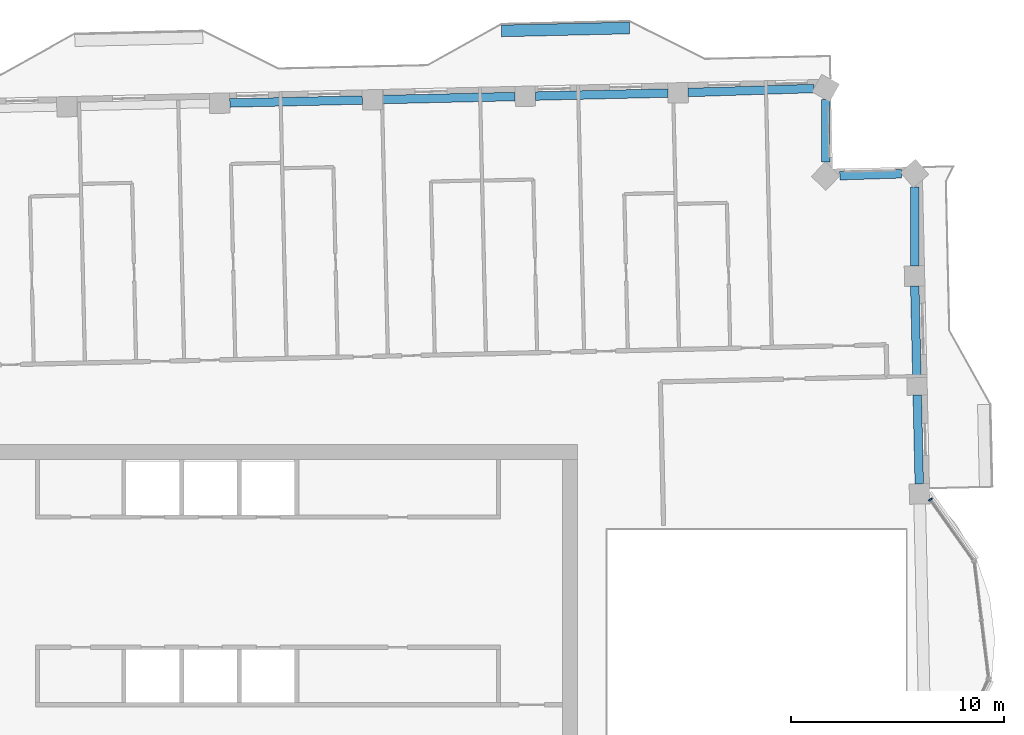
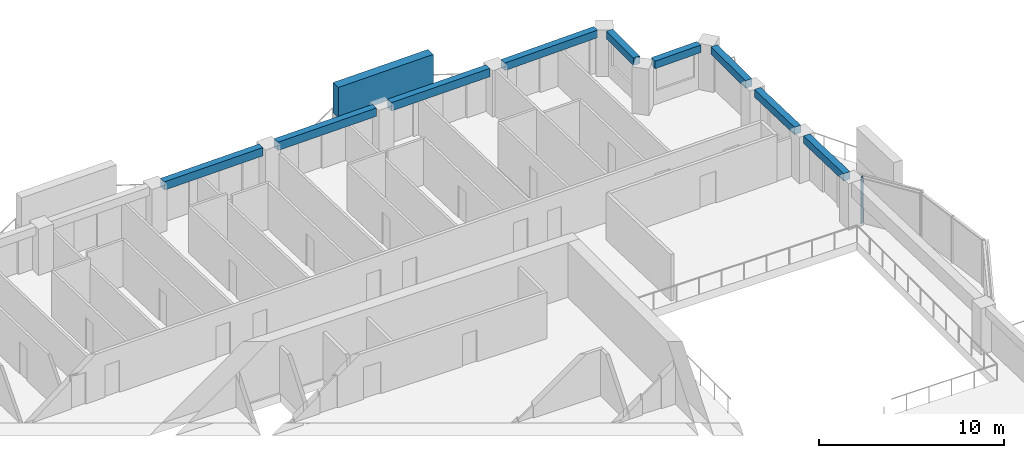
# One storey, part 4 of 18: 9 beams, 2 members, 1 element without a shape of its own.
"""IFC4 building model written with IfcOpenShell, lengths in metres."""

from ifc_helpers import new_model, si_unit, direction, frame, origin, origin_2d, place, context, subcontext, project, spatial, rectangle, extrude, material, material_profile, profile_set, type_object, element, aggregate, save


model = new_model("IFC4")

# Units and contexts
model_context = context("Model", 3, precision=1e-05, world=origin(), true_north=direction((0.0, 1.0)))
body_context = subcontext(model_context, "Body", "Model", "MODEL_VIEW")
ifc_project = project(units=[si_unit("LENGTHUNIT", "METRE"), si_unit("AREAUNIT", "SQUARE_METRE"), si_unit("VOLUMEUNIT", "CUBIC_METRE"), si_unit("PLANEANGLEUNIT", "RADIAN"), si_unit("MASSUNIT", "GRAM", prefix="KILO")], contexts=[model_context])

# Site, building, storey
site_placement = place(None, origin())
site = spatial("IfcSite", under=ifc_project, at=site_placement, CompositionType="ELEMENT")
building_placement = place(site_placement, origin())
building = spatial("IfcBuilding", under=site, at=building_placement, Name="Mangrove Gate Tower", CompositionType="ELEMENT")
storey_placement = place(building_placement, frame((0.0, 0.0, 287.10009765625)))
storey = spatial("IfcBuildingStorey", under=building, at=storey_placement, Name="L73", CompositionType="ELEMENT", Elevation=287.10009765625)

# Curtain wall, member
ifc_material_1 = material(Name="Aluminium and glass curtain wall", Category="aluminium")
curtain_wall_type = type_object("IfcCurtainWallType", Name="Atrium garden-court glazing wall", PredefinedType="NOTDEFINED", material=ifc_material_1)
curtain_wall_placement = place(storey_placement, origin())
curtain_wall = element("IfcCurtainWall", 1, at=curtain_wall_placement, inside=storey, type_object=curtain_wall_type, Name="Atrium garden-court glazing E1f3", PredefinedType="NOTDEFINED")
ifc_material_2 = material(Name="Aluminium alloy 6063-T6", Category="aluminium")
ifc_material_profile_1 = material_profile(ifc_material_2, rectangle(XDim=0.070068359375, YDim=0.199951171875, at=origin_2d()))
ifc_profile_set_1 = profile_set([ifc_material_profile_1], Name="Aluminium alloy 6063-T6")
member_type_1 = type_object("IfcMemberType", Name="Atrium garden-court glazing mullion 70x200", PredefinedType="MULLION", material=ifc_profile_set_1)
member_1_placement = place(storey_placement, frame((31.039794921875, 8.92138671875, 0.0), z_axis=(0.0, 0.0, 1.0), x_axis=(-0.578135022674, 0.815941110349, 0.0)))
member_1 = element("IfcMember", 2, at=member_1_placement, type_object=member_type_1, Name="CWA mullion 2", PredefinedType="MULLION", context=body_context, shape_type="SweptSolid", body=[
    extrude(rectangle(XDim=0.070068359375, YDim=0.199951171875, at=origin_2d()), origin(), (0.0, 0.0, 1.0), 3.0498046875),
])
aggregate(curtain_wall, [member_1])

# Member
ifc_material_3 = material(Name="Planting on aluminium trellis", Category="aluminium")
ifc_material_profile_2 = material_profile(ifc_material_3, rectangle(XDim=0.550048828125, YDim=2.0, at=origin_2d()))
ifc_profile_set_2 = profile_set([ifc_material_profile_2], Name="Planting on aluminium trellis")
member_type_2 = type_object("IfcMemberType", Name="Balcony greenery screen 550x2000", PredefinedType="USERDEFINED", material=ifc_profile_set_2)
member_2_placement = place(storey_placement, frame((10.93896484375, 30.884033203125, 1.7998046875), z_axis=(0.999739392852, 0.022828630714, 0.0), x_axis=(-0.022828630714, 0.999739392852, 0.0)))
element("IfcMember", 3, at=member_2_placement, inside=storey, type_object=member_type_2, Name="GREEN SCREEN L73 N0.1", ObjectType="PLANTING", PredefinedType="USERDEFINED", context=body_context, shape_type="SweptSolid", body=[
    extrude(rectangle(XDim=0.550048828125, YDim=2.0, at=origin_2d()), origin(), (0.0, 0.0, 1.0), 5.99951171875),
])

# Beams
ifc_material_4 = material(Name="Concrete C50/60", Category="concrete")
ifc_material_profile_3 = material_profile(ifc_material_4, rectangle(XDim=0.39990234375, YDim=0.5, at=origin_2d()))
ifc_profile_set_3 = profile_set([ifc_material_profile_3], Name="Concrete C50/60")
beam_type_1 = type_object("IfcBeamType", Name="Edge beam RC 400x500 C50/60", PredefinedType="BEAM", material=ifc_profile_set_3)
for number, where, z_axis, x_axis, name in (
    (4, (30.518310546875, 9.658203125, 2.7998046875), (-0.022486678156, 0.999747142684, 0.0), (-0.999747142684, -0.022486678156, 0.0), "Edge beam L73 17"),
    (5, (30.4033203125, 14.76513671875, 2.7998046875), (-0.022721405353, 0.999741835545, 0.0), (-0.999741835545, -0.022721405353, 0.0), "Edge beam L73 18"),
):
    element("IfcBeam", number, at=place(storey_placement, frame(where, z_axis=z_axis, x_axis=x_axis)), inside=storey, type_object=beam_type_1, Name=name, PredefinedType="BEAM", context=body_context, shape_type="SweptSolid", body=[
        extrude(rectangle(XDim=0.39990234375, YDim=0.5, at=origin_2d()), origin(), (0.0, 0.0, 1.0), 4.158203125),
    ])
beam_1_placement = place(storey_placement, frame((30.298095703125, 19.872314453125, 2.7998046875), z_axis=(-0.000263504602, 0.999999965283, 0.0), x_axis=(-0.999999965283, -0.000263504602, 0.0)))
element("IfcBeam", 6, at=beam_1_placement, inside=storey, type_object=beam_type_1, Name="Edge beam L73 19", PredefinedType="BEAM", context=body_context, shape_type="SweptSolid", body=[
    extrude(rectangle(XDim=0.39990234375, YDim=0.5, at=origin_2d()), origin(), (0.0, 0.0, 1.0), 3.7060546875),
])
beam_2_placement = place(storey_placement, frame((29.6865234375, 24.186279296875, 2.7998046875), z_axis=(-0.99952516479, -0.030813064624, 0.0), x_axis=(0.030813064624, -0.99952516479, 0.0)))
element("IfcBeam", 7, at=beam_2_placement, inside=storey, type_object=beam_type_1, Name="Edge beam L73 20", PredefinedType="BEAM", context=body_context, shape_type="SweptSolid", body=[
    extrude(rectangle(XDim=0.39990234375, YDim=0.5, at=origin_2d()), origin(), (0.0, 0.0, 1.0), 2.89208984375),
])
beam_3_placement = place(storey_placement, frame((26.130126953125, 24.7333984375, 2.7998046875), z_axis=(0.00058381975, 0.999999829577, 0.0), x_axis=(-0.999999829577, 0.00058381975, 0.0)))
element("IfcBeam", 8, at=beam_3_placement, inside=storey, type_object=beam_type_1, Name="Edge beam L73 21", PredefinedType="BEAM", context=body_context, shape_type="SweptSolid", body=[
    extrude(rectangle(XDim=0.39990234375, YDim=0.5, at=origin_2d()), origin(), (0.0, 0.0, 1.0), 2.92724609375),
])
beam_4_placement = place(storey_placement, frame((25.57861328125, 28.18603515625, 2.7998046875), z_axis=(-0.999481964138, -0.032183899135, 0.0), x_axis=(0.032183899135, -0.999481964138, 0.0)))
element("IfcBeam", 9, at=beam_4_placement, inside=storey, type_object=beam_type_1, Name="Edge beam L73 22", PredefinedType="BEAM", context=body_context, shape_type="SweptSolid", body=[
    extrude(rectangle(XDim=0.39990234375, YDim=0.5, at=origin_2d()), origin(), (0.0, 0.0, 1.0), 5.894287109375),
])
ifc_material_5 = material(Name="Concrete C50/60", Category="concrete")
ifc_material_profile_4 = material_profile(ifc_material_5, rectangle(XDim=0.39990234375, YDim=0.550048828125, at=origin_2d()))
ifc_profile_set_4 = profile_set([ifc_material_profile_4], Name="Concrete C50/60")
beam_type_2 = type_object("IfcBeamType", Name="Edge beam RC 400x550 C50/60", PredefinedType="BEAM", material=ifc_profile_set_4)
beam_5_placement = place(storey_placement, frame((18.73779296875, 27.970458984375, 2.77490234375), z_axis=(-0.999743719116, -0.022638376468, 0.0), x_axis=(0.022638376468, -0.999743719116, 0.0)))
element("IfcBeam", 10, at=beam_5_placement, inside=storey, type_object=beam_type_2, Name="Edge beam L73 23", PredefinedType="BEAM", context=body_context, shape_type="SweptSolid", body=[
    extrude(rectangle(XDim=0.39990234375, YDim=0.550048828125, at=origin_2d()), origin(), (0.0, 0.0, 1.0), 6.2119140625),
])
beam_6_placement = place(storey_placement, frame((11.577880859375, 27.808349609375, 2.77490234375), z_axis=(-0.999741125002, -0.022752647749, 0.0), x_axis=(0.022752647749, -0.999741125002, 0.0)))
element("IfcBeam", 11, at=beam_6_placement, inside=storey, type_object=beam_type_2, Name="Edge beam L73 24", PredefinedType="BEAM", context=body_context, shape_type="SweptSolid", body=[
    extrude(rectangle(XDim=0.39990234375, YDim=0.550048828125, at=origin_2d()), origin(), (0.0, 0.0, 1.0), 6.212890625),
])
beam_7_placement = place(storey_placement, frame((4.4169921875, 27.645263671875, 2.77490234375), z_axis=(-0.999744627938, -0.022598205876, 0.0), x_axis=(0.022598205876, -0.999744627938, 0.0)))
element("IfcBeam", 12, at=beam_7_placement, inside=storey, type_object=beam_type_2, Name="Edge beam L73 25", PredefinedType="BEAM", context=body_context, shape_type="SweptSolid", body=[
    extrude(rectangle(XDim=0.39990234375, YDim=0.550048828125, at=origin_2d()), origin(), (0.0, 0.0, 1.0), 6.2119140625),
])

save(model, "model.ifc")
